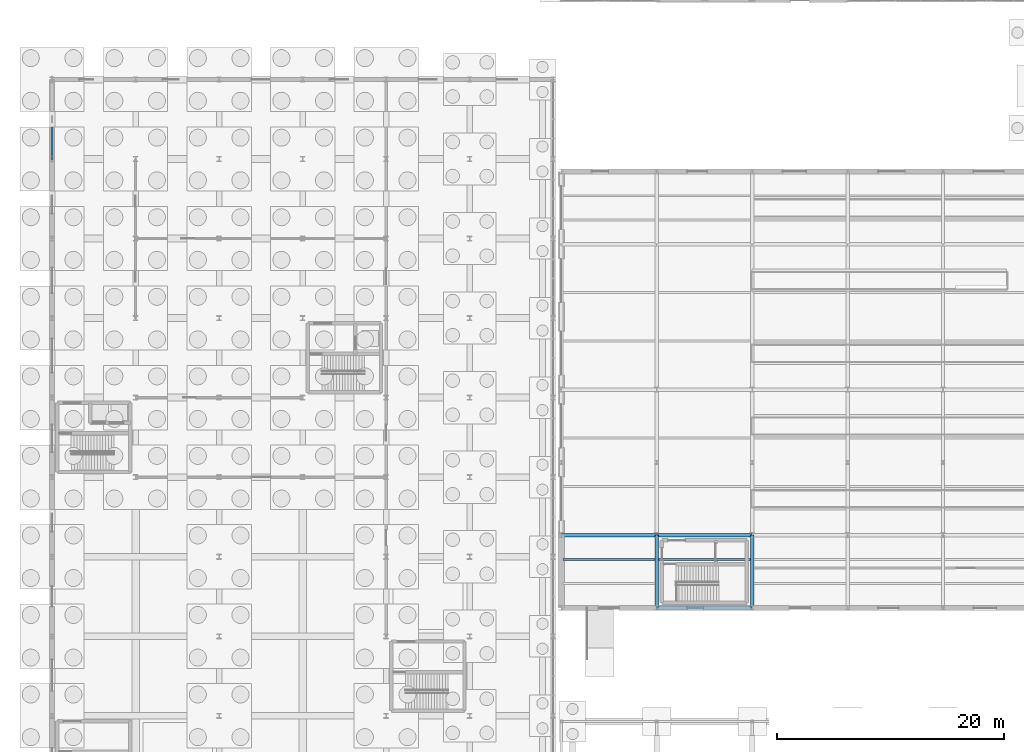
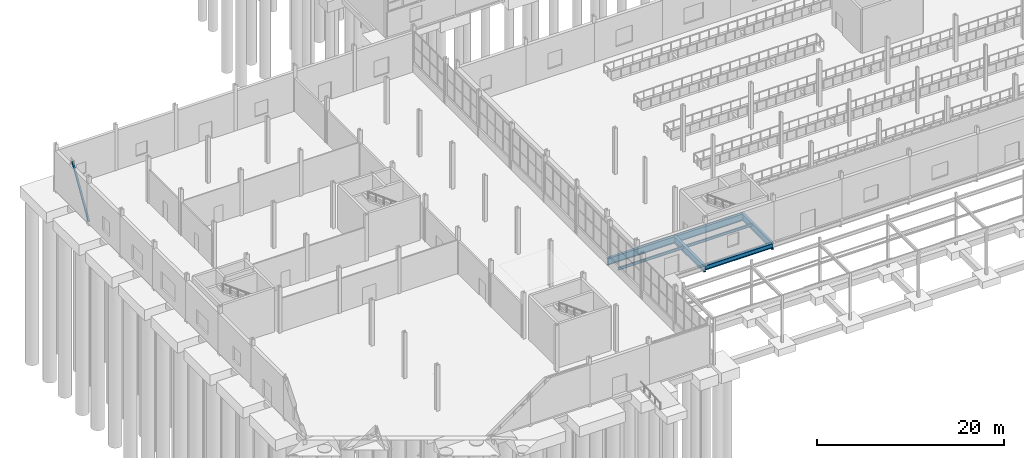
# One storey, part 59 of 139: 7 beams, 1 member.
"""IFC4 building model written with IfcOpenShell, lengths in metres."""

from ifc_helpers import new_model, si_unit, direction, frame, origin, origin_2d, place, context, subcontext, project, spatial, i_section, extrude, material, material_profile, profile_set, type_object, element, save


model = new_model("IFC4")

# Units and contexts
model_context = context("Model", 3, precision=1e-05, world=origin(), true_north=direction((0.0, 1.0)))
body_context = subcontext(model_context, "Body", "Model", "MODEL_VIEW")
ifc_project = project(units=[si_unit("LENGTHUNIT", "METRE"), si_unit("AREAUNIT", "SQUARE_METRE"), si_unit("VOLUMEUNIT", "CUBIC_METRE"), si_unit("PLANEANGLEUNIT", "RADIAN"), si_unit("MASSUNIT", "GRAM", prefix="KILO")], contexts=[model_context])

# Site, building, storey
site_placement = place(None, origin())
site = spatial("IfcSite", under=ifc_project, at=site_placement, CompositionType="ELEMENT")
building_placement = place(site_placement, origin())
building = spatial("IfcBuilding", under=site, at=building_placement, Name="Kazenagashi Tramway Depot", CompositionType="ELEMENT")
storey_placement = place(building_placement, origin())
storey = spatial("IfcBuildingStorey", under=building, at=storey_placement, Name="L01", CompositionType="ELEMENT", Elevation=0.0)

# Member
ifc_material_1 = material(Name="Steel SN400B", Category="steel")
ifc_material_profile_1 = material_profile(ifc_material_1, i_section(OverallWidth=0.2, OverallDepth=0.2, WebThickness=0.008, FlangeThickness=0.012, at=origin_2d()), Name="H-200x200x8x12")
ifc_profile_set_1 = profile_set([ifc_material_profile_1], Name="Steel SN400B")
member_type = type_object("IfcMemberType", Name="BR-04", PredefinedType="BRACE", material=ifc_profile_set_1)
member_placement = place(storey_placement, frame((0.0, 56.0, 0.0), z_axis=(0.0, 0.519946946896, 0.854198555614), x_axis=(-1.0, 0.0, 0.0)))
element("IfcMember", 1, at=member_placement, inside=storey, type_object=member_type, Name="Seismic Brace Member BR-04 MEM-1602", PredefinedType="BRACE", context=body_context, shape_type="SweptSolid", body=[
    extrude(i_section(OverallWidth=0.2, OverallDepth=0.2, WebThickness=0.008, FlangeThickness=0.012, at=origin_2d()), origin(), (0.0, 0.0, 1.0), 6.731456),
])

# Beams
ifc_material_2 = material(Name="Steel SN490B", Category="steel")
ifc_material_profile_2 = material_profile(ifc_material_2, i_section(OverallWidth=0.3, OverallDepth=0.9, WebThickness=0.016, FlangeThickness=0.028, at=origin_2d()), Name="H-900x300x16x28")
ifc_profile_set_2 = profile_set([ifc_material_profile_2], Name="Steel SN490B")
beam_type_1 = type_object("IfcBeamType", Name="G-01", PredefinedType="BEAM", material=ifc_profile_set_2)
for number, where, z_axis, x_axis, name in (
    (2, (44.8, 22.9, -0.8), (1.0, 0.0, 0.0), (0.0, 1.0, 0.0), "Beam G-01 BM-0753"),
    (3, (53.2, 22.9, -0.8), (1.0, 0.0, 0.0), (0.0, 1.0, 0.0), "Beam G-01 BM-0754"),
):
    element("IfcBeam", number, at=place(storey_placement, frame(where, z_axis=z_axis, x_axis=x_axis)), inside=storey, type_object=beam_type_1, Name=name, PredefinedType="BEAM", context=body_context, shape_type="SweptSolid", body=[
        extrude(i_section(OverallWidth=0.3, OverallDepth=0.9, WebThickness=0.016, FlangeThickness=0.028, at=origin_2d()), origin(), (0.0, 0.0, 1.0), 8.4),
    ])
for number, where, z_axis, x_axis, name in (
    (4, (53.2, 16.5, -0.8), (0.0, 1.0, 0.0), (-1.0, 0.0, 0.0), "Beam G-01 BM-0813"),
    (5, (61.6, 16.5, -0.8), (0.0, 1.0, 0.0), (-1.0, 0.0, 0.0), "Beam G-01 BM-0824"),
):
    element("IfcBeam", number, at=place(storey_placement, frame(where, z_axis=z_axis, x_axis=x_axis)), inside=storey, type_object=beam_type_1, Name=name, PredefinedType="BEAM", context=body_context, shape_type="SweptSolid", body=[
        extrude(i_section(OverallWidth=0.3, OverallDepth=0.9, WebThickness=0.016, FlangeThickness=0.028, at=origin_2d()), origin(), (0.0, 0.0, 1.0), 6.4),
    ])
ifc_material_profile_3 = material_profile(ifc_material_1, i_section(OverallWidth=0.175, OverallDepth=0.35, WebThickness=0.007, FlangeThickness=0.011, at=origin_2d()), Name="H-350x175x7x11")
ifc_profile_set_3 = profile_set([ifc_material_profile_3], Name="Steel SN400B")
beam_type_2 = type_object("IfcBeamType", Name="J-01", PredefinedType="JOIST", material=ifc_profile_set_3)
for number, where, z_axis, x_axis, name in (
    (6, (44.95, 20.767, -0.525), (1.0, 0.0, 0.0), (0.0, 1.0, 0.0), "Beam J-01 BM-0803"),
    (7, (53.35, 20.767, -0.525), (1.0, 0.0, 0.0), (0.0, 1.0, 0.0), "Beam J-01 BM-0814"),
):
    element("IfcBeam", number, at=place(storey_placement, frame(where, z_axis=z_axis, x_axis=x_axis)), inside=storey, type_object=beam_type_2, Name=name, PredefinedType="JOIST", context=body_context, shape_type="SweptSolid", body=[
        extrude(i_section(OverallWidth=0.175, OverallDepth=0.35, WebThickness=0.007, FlangeThickness=0.011, at=origin_2d()), origin(), (0.0, 0.0, 1.0), 8.1),
    ])
ifc_material_profile_4 = material_profile(ifc_material_2, i_section(OverallWidth=0.3, OverallDepth=0.588, WebThickness=0.012, FlangeThickness=0.02, at=origin_2d()), Name="H-588x300x12x20")
ifc_profile_set_4 = profile_set([ifc_material_profile_4], Name="Steel SN490B")
beam_type_3 = type_object("IfcBeamType", Name="SP-01", PredefinedType="SPANDREL", material=ifc_profile_set_4)
beam_placement = place(storey_placement, frame((53.2, 16.5, -0.644), z_axis=(1.0, 0.0, 0.0), x_axis=(0.0, 1.0, 0.0)))
element("IfcBeam", 8, at=beam_placement, inside=storey, type_object=beam_type_3, Name="Beam SP-01 BM-0742", PredefinedType="SPANDREL", context=body_context, shape_type="SweptSolid", body=[
    extrude(i_section(OverallWidth=0.3, OverallDepth=0.588, WebThickness=0.012, FlangeThickness=0.02, at=origin_2d()), origin(), (0.0, 0.0, 1.0), 8.4),
])

save(model, "model.ifc")
